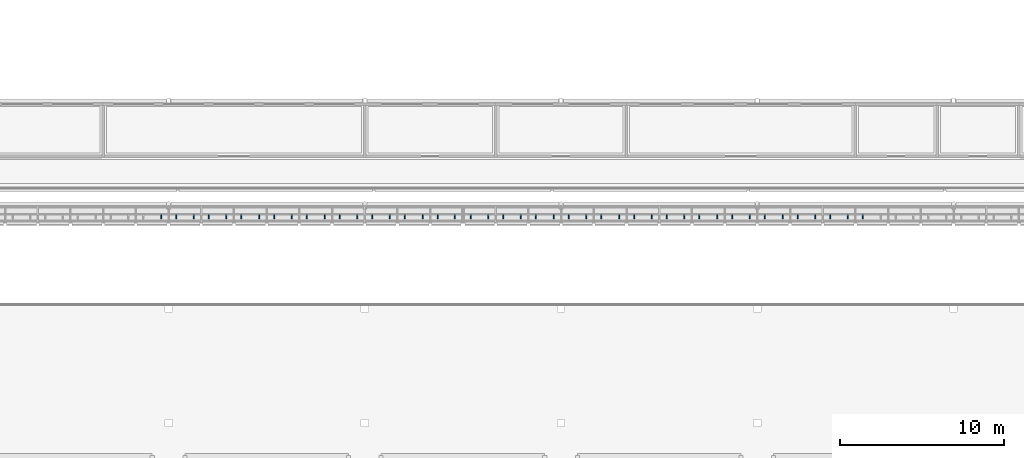
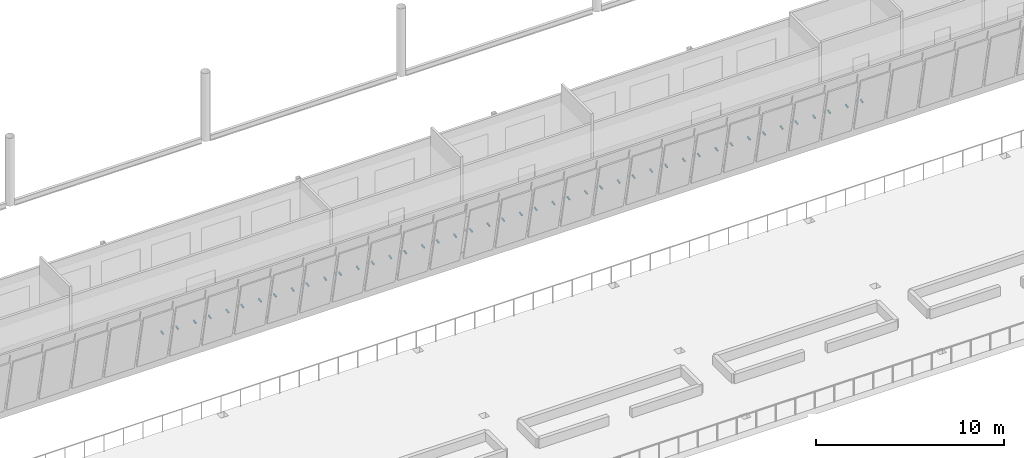
# One storey, part 61 of 95: 44 discrete accessories.
"""IFC4 building model written with IfcOpenShell, lengths in metres."""

from ifc_helpers import new_model, si_unit, direction, frame, origin, origin_2d, place, context, subcontext, project, spatial, rectangle, extrude, element, save


model = new_model("IFC4")

# Units and contexts
model_context = context("Model", 3, precision=1e-05, world=origin(), true_north=direction((0.0, 1.0)))
body_context = subcontext(model_context, "Body", "Model", "MODEL_VIEW")
ifc_project = project(units=[si_unit("LENGTHUNIT", "METRE"), si_unit("AREAUNIT", "SQUARE_METRE"), si_unit("VOLUMEUNIT", "CUBIC_METRE"), si_unit("PLANEANGLEUNIT", "RADIAN"), si_unit("MASSUNIT", "GRAM", prefix="KILO")], contexts=[model_context])

# Site, building, storey
site_placement = place(None, origin())
site = spatial("IfcSite", under=ifc_project, at=site_placement, CompositionType="ELEMENT")
building_placement = place(site_placement, origin())
building = spatial("IfcBuilding", under=site, at=building_placement, Name="Windward Yard Aquatics Centre", CompositionType="ELEMENT")
storey_placement = place(building_placement, frame((0.0, 0.0, 9.39990234375)))
storey = spatial("IfcBuildingStorey", under=building, at=storey_placement, Name="L02", CompositionType="ELEMENT", Elevation=9.39990234375)

# Discrete accessories
for number, where, z_axis, x_axis, name in (
    (1, (83.539306640625, 24.732421875, 2.11865234375), (0.0, -0.979936662274, -0.199309151649), (1.0, 0.0, 0.0), "Louvre bracket S L02 A10.2"),
    (2, (84.45556640625, 24.732421875, 2.11865234375), (0.0, -0.979936662274, -0.199309151649), (1.0, 0.0, 0.0), "Louvre bracket S L02 A11.1"),
    (3, (85.5390625, 24.732421875, 2.11865234375), (0.0, -0.979936662274, -0.199309151649), (1.0, 0.0, 0.0), "Louvre bracket S L02 A11.2"),
    (4, (86.455322265625, 24.732421875, 2.11865234375), (0.0, -0.979936662274, -0.199309151649), (1.0, 0.0, 0.0), "Louvre bracket S L02 A12.1"),
    (5, (87.538818359375, 24.732421875, 2.11865234375), (0.0, -0.979936662274, -0.199309151649), (1.0, 0.0, 0.0), "Louvre bracket S L02 A12.2"),
    (6, (88.455078125, 24.732421875, 2.11865234375), (0.0, -0.979936662274, -0.199309151649), (1.0, 0.0, 0.0), "Louvre bracket S L02 A13.1"),
    (7, (89.538330078125, 24.732421875, 2.11865234375), (0.0, -0.979936662274, -0.199309151649), (1.0, 0.0, 0.0), "Louvre bracket S L02 A13.2"),
    (8, (90.454833984375, 24.732421875, 2.11865234375), (0.0, -0.979936662274, -0.199309151649), (1.0, 0.0, 0.0), "Louvre bracket S L02 A14.1"),
    (9, (91.5380859375, 24.732421875, 2.11865234375), (0.0, -0.979936662274, -0.199309151649), (1.0, 0.0, 0.0), "Louvre bracket S L02 A14.2"),
    (10, (92.454345703125, 24.732421875, 2.11865234375), (0.0, -0.979936662274, -0.199309151649), (1.0, 0.0, 0.0), "Louvre bracket S L02 A15.1"),
    (11, (93.537841796875, 24.732421875, 2.11865234375), (0.0, -0.979936662274, -0.199309151649), (1.0, 0.0, 0.0), "Louvre bracket S L02 A15.2"),
    (12, (94.4541015625, 24.732421875, 2.11865234375), (0.0, -0.979936662274, -0.199309151649), (1.0, 0.0, 0.0), "Louvre bracket S L02 A16.1"),
    (13, (95.53759765625, 24.732421875, 2.11865234375), (0.0, -0.979936662274, -0.199309151649), (1.0, 0.0, 0.0), "Louvre bracket S L02 A16.2"),
    (14, (96.453857421875, 24.732421875, 2.11865234375), (0.0, -0.979936662274, -0.199309151649), (1.0, 0.0, 0.0), "Louvre bracket S L02 A17.1"),
    (15, (97.537353515625, 24.732421875, 2.11865234375), (0.0, -0.979936662274, -0.199309151649), (1.0, 0.0, 0.0), "Louvre bracket S L02 A17.2"),
    (16, (98.45361328125, 24.732421875, 2.11865234375), (0.0, -0.979936662274, -0.199309151649), (1.0, 0.0, 0.0), "Louvre bracket S L02 A18.1"),
    (17, (99.537109375, 24.732421875, 2.11865234375), (0.0, -0.979936662274, -0.199309151649), (1.0, 0.0, 0.0), "Louvre bracket S L02 A18.2"),
    (18, (100.4462890625, 24.732421875, 2.11865234375), (0.0, -0.979936662274, -0.199309151649), (1.0, 0.0, 0.0), "Louvre bracket S L02 A19.1"),
    (19, (101.511474609375, 24.732421875, 2.11865234375), (0.0, -0.979936662274, -0.199309151649), (1.0, 0.0, 0.0), "Louvre bracket S L02 A19.2"),
    (20, (102.488525390625, 24.732421875, 2.11865234375), (0.0, -0.979936662274, -0.199309151649), (1.0, 0.0, 0.0), "Louvre bracket S L02 B1.1"),
    (21, (103.5537109375, 24.732421875, 2.11865234375), (0.0, -0.979936662274, -0.199309151649), (1.0, 0.0, 0.0), "Louvre bracket S L02 B1.2"),
    (22, (104.462890625, 24.732421875, 2.11865234375), (0.0, -0.979936662274, -0.199309151649), (1.0, 0.0, 0.0), "Louvre bracket S L02 B2.1"),
    (23, (105.54638671875, 24.732421875, 2.11865234375), (0.0, -0.979936662274, -0.199309151649), (1.0, 0.0, 0.0), "Louvre bracket S L02 B2.2"),
    (24, (106.462646484375, 24.732421875, 2.11865234375), (0.0, -0.979936662274, -0.199309151649), (1.0, 0.0, 0.0), "Louvre bracket S L02 B3.1"),
    (25, (107.546142578125, 24.732421875, 2.11865234375), (0.0, -0.979936662274, -0.199309151649), (1.0, 0.0, 0.0), "Louvre bracket S L02 B3.2"),
    (26, (108.46240234375, 24.732421875, 2.11865234375), (0.0, -0.979936662274, -0.199309151649), (1.0, 0.0, 0.0), "Louvre bracket S L02 B4.1"),
    (27, (109.5458984375, 24.732421875, 2.11865234375), (0.0, -0.979936662274, -0.199309151649), (1.0, 0.0, 0.0), "Louvre bracket S L02 B4.2"),
    (28, (110.462158203125, 24.732421875, 2.11865234375), (0.0, -0.979936662274, -0.199309151649), (1.0, 0.0, 0.0), "Louvre bracket S L02 B5.1"),
    (29, (111.545654296875, 24.732421875, 2.11865234375), (0.0, -0.979936662274, -0.199309151649), (1.0, 0.0, 0.0), "Louvre bracket S L02 B5.2"),
    (30, (112.4619140625, 24.732421875, 2.11865234375), (0.0, -0.979936662274, -0.199309151649), (1.0, 0.0, 0.0), "Louvre bracket S L02 B6.1"),
    (31, (113.545166015625, 24.732421875, 2.11865234375), (0.0, -0.979936662274, -0.199309151649), (1.0, 0.0, 0.0), "Louvre bracket S L02 B6.2"),
    (32, (114.461669921875, 24.732421875, 2.11865234375), (0.0, -0.979936662274, -0.199309151649), (1.0, 0.0, 0.0), "Louvre bracket S L02 B7.1"),
    (33, (115.544921875, 24.732421875, 2.11865234375), (0.0, -0.979936662274, -0.199309151649), (1.0, 0.0, 0.0), "Louvre bracket S L02 B7.2"),
    (34, (116.461181640625, 24.732421875, 2.11865234375), (0.0, -0.979936662274, -0.199309151649), (1.0, 0.0, 0.0), "Louvre bracket S L02 B8.1"),
    (35, (117.544677734375, 24.732421875, 2.11865234375), (0.0, -0.979936662274, -0.199309151649), (1.0, 0.0, 0.0), "Louvre bracket S L02 B8.2"),
    (36, (118.4609375, 24.732421875, 2.11865234375), (0.0, -0.979936662274, -0.199309151649), (1.0, 0.0, 0.0), "Louvre bracket S L02 B9.1"),
    (37, (119.54443359375, 24.732421875, 2.11865234375), (0.0, -0.979936662274, -0.199309151649), (1.0, 0.0, 0.0), "Louvre bracket S L02 B9.2"),
    (38, (120.460693359375, 24.732421875, 2.11865234375), (0.0, -0.979936662274, -0.199309151649), (1.0, 0.0, 0.0), "Louvre bracket S L02 B10.1"),
    (39, (121.544189453125, 24.732421875, 2.11865234375), (0.0, -0.979936662274, -0.199309151649), (1.0, 0.0, 0.0), "Louvre bracket S L02 B10.2"),
    (40, (122.46044921875, 24.732421875, 2.11865234375), (0.0, -0.979936662274, -0.199309151649), (1.0, 0.0, 0.0), "Louvre bracket S L02 B11.1"),
    (41, (123.5439453125, 24.732421875, 2.11865234375), (0.0, -0.979936662274, -0.199309151649), (1.0, 0.0, 0.0), "Louvre bracket S L02 B11.2"),
    (42, (124.460205078125, 24.732421875, 2.11865234375), (0.0, -0.979936662274, -0.199309151649), (1.0, 0.0, 0.0), "Louvre bracket S L02 B12.1"),
    (43, (125.543701171875, 24.732421875, 2.11865234375), (0.0, -0.979936662274, -0.199309151649), (1.0, 0.0, 0.0), "Louvre bracket S L02 B12.2"),
    (44, (126.4599609375, 24.732421875, 2.11865234375), (0.0, -0.979936662274, -0.199309151649), (1.0, 0.0, 0.0), "Louvre bracket S L02 B13.1"),
):
    element("IfcDiscreteAccessory", number, at=place(storey_placement, frame(where, z_axis=z_axis, x_axis=x_axis)), inside=storey, Name=name, PredefinedType="BRACKET", context=body_context, shape_type="SweptSolid", body=[
        extrude(rectangle(XDim=0.06005859375, YDim=0.06005859375, at=origin_2d()), origin(), (0.0, 0.0, 1.0), 0.25),
    ])

save(model, "model.ifc")
